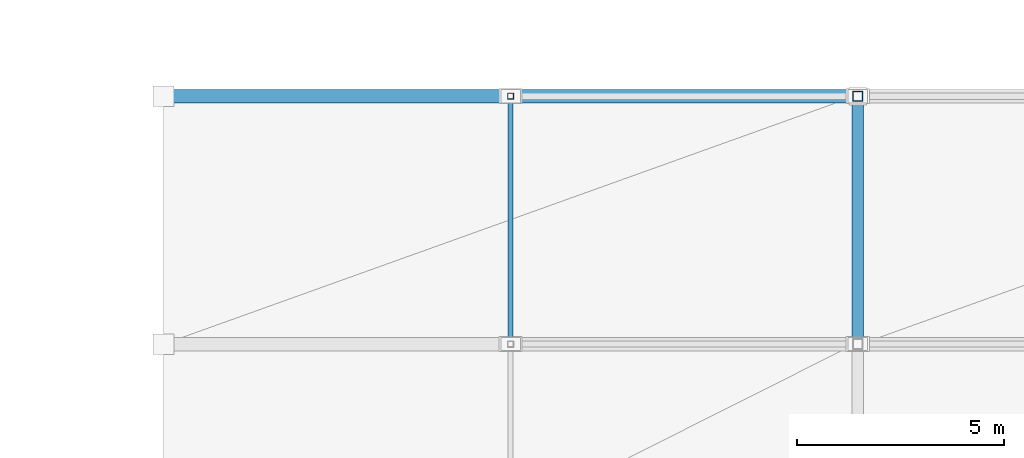
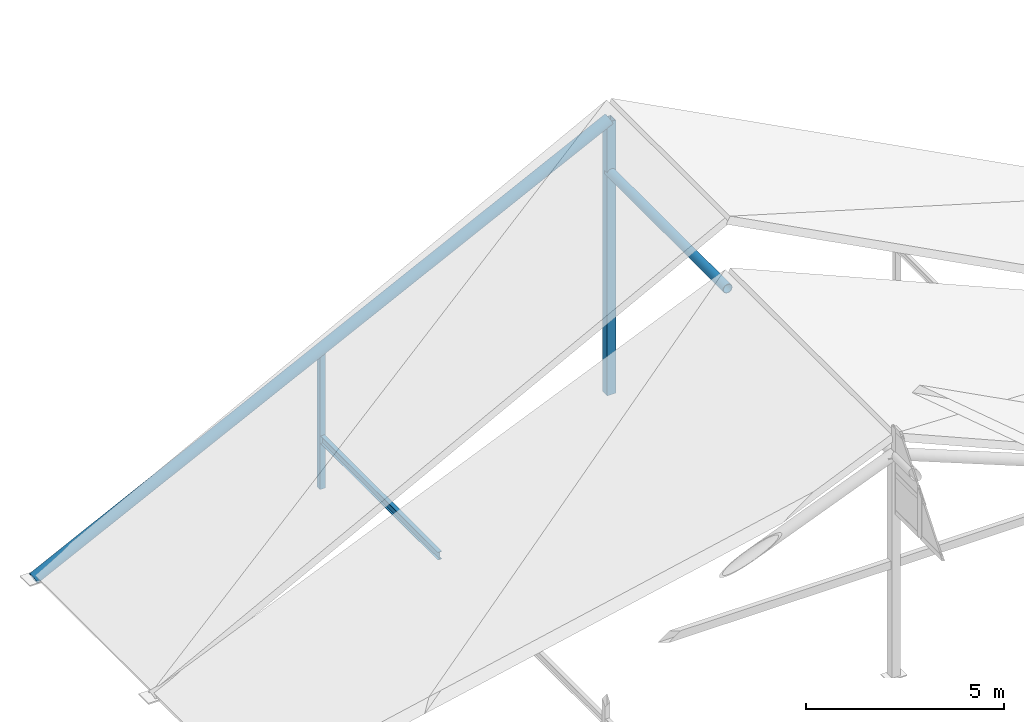
# One storey, part 37 of 76: 5 members.
"""IFC4 building model written with IfcOpenShell, lengths in metres."""

from ifc_helpers import new_model, si_unit, direction, frame, origin, origin_2d, place, context, subcontext, project, spatial, hollow_rectangle, hollow_circle, i_section, extrude, material, material_profile, profile_set, type_object, element, save


model = new_model("IFC4")

# Units and contexts
model_context = context("Model", 3, precision=1e-05, world=origin(), true_north=direction((0.0, 1.0)))
body_context = subcontext(model_context, "Body", "Model", "MODEL_VIEW")
ifc_project = project(units=[si_unit("LENGTHUNIT", "METRE"), si_unit("AREAUNIT", "SQUARE_METRE"), si_unit("VOLUMEUNIT", "CUBIC_METRE"), si_unit("PLANEANGLEUNIT", "RADIAN"), si_unit("MASSUNIT", "GRAM", prefix="KILO")], contexts=[model_context])

# Site, building, storey
site_placement = place(None, origin())
site = spatial("IfcSite", under=ifc_project, at=site_placement, CompositionType="ELEMENT")
building_placement = place(site_placement, origin())
building = spatial("IfcBuilding", under=site, at=building_placement, Name="Krzemoval Escarpment Law Courts", CompositionType="ELEMENT")
storey_placement = place(building_placement, frame((0.0, 0.0, 20.39990234375)))
storey = spatial("IfcBuildingStorey", under=building, at=storey_placement, Name="L04", CompositionType="ELEMENT", Elevation=20.39990234375)

# Members
ifc_material_1 = material(Name="Steel S355", Category="steel")
ifc_material_profile_1 = material_profile(ifc_material_1, hollow_circle(Radius=0.136474609375, WallThickness=0.012451171875, at=origin_2d()), Name="CHS 273x12.5")
ifc_profile_set_1 = profile_set([ifc_material_profile_1], Name="Steel S355")
member_type_1 = type_object("IfcMemberType", Name="MBR-CHD-CHS273", PredefinedType="CHORD", material=ifc_profile_set_1)
member_1_placement = place(storey_placement, frame((25.199951171875, 93.60009765625, 6.550048828125), z_axis=(0.0, 1.0, 0.0), x_axis=(-1.0, 0.0, 0.0)))
element("IfcMember", 1, at=member_1_placement, inside=storey, type_object=member_type_1, Name="Roof Truss Top Chord TC-0076", PredefinedType="CHORD", context=body_context, shape_type="SweptSolid", body=[
    extrude(hollow_circle(Radius=0.136474609375, WallThickness=0.012451171875, at=origin_2d()), origin(), (0.0, 0.0, 1.0), 6.0),
])
ifc_material_2 = material(Name="Steel S355", Category="steel")
ifc_material_profile_2 = material_profile(ifc_material_2, hollow_circle(Radius=0.161865234375, WallThickness=0.01611328125, at=origin_2d()), Name="CHS 323.9x16")
ifc_profile_set_2 = profile_set([ifc_material_profile_2], Name="Steel S355")
member_type_2 = type_object("IfcMemberType", Name="MBR-CHD-CHS324", PredefinedType="CHORD", material=ifc_profile_set_2)
member_2_placement = place(storey_placement, frame((8.39990234375, 99.60009765625, -0.14990234375), z_axis=(0.896551125038, 0.0, 0.442940267071), x_axis=(0.0, 1.0, 0.0)))
element("IfcMember", 2, at=member_2_placement, inside=storey, type_object=member_type_2, Name="Roof Rafter Chord TC-0052", PredefinedType="CHORD", context=body_context, shape_type="SweptSolid", body=[
    extrude(hollow_circle(Radius=0.161865234375, WallThickness=0.01611328125, at=origin_2d()), origin(), (0.0, 0.0, 1.0), 18.738525390625),
])
ifc_material_3 = material(Name="Steel S355", Category="steel")
ifc_material_profile_3 = material_profile(ifc_material_3, i_section(OverallWidth=0.1201171875, OverallDepth=0.239990234375, WebThickness=0.006103515625, FlangeThickness=0.009765625, at=origin_2d()), Name="IPE 240")
ifc_profile_set_3 = profile_set([ifc_material_profile_3], Name="Steel S355")
member_type_3 = type_object("IfcMemberType", Name="MBR-PUR-IPE240", PredefinedType="PURLIN", material=ifc_profile_set_3)
member_3_placement = place(storey_placement, frame((16.800048828125, 93.60009765625, 1.25), z_axis=(0.0, 1.0, 0.0), x_axis=(-1.0, 0.0, 0.0)))
element("IfcMember", 3, at=member_3_placement, inside=storey, type_object=member_type_3, Name="Roof Purlin PR-0077", PredefinedType="PURLIN", context=body_context, shape_type="SweptSolid", body=[
    extrude(i_section(OverallWidth=0.1201171875, OverallDepth=0.239990234375, WebThickness=0.006103515625, FlangeThickness=0.009765625, at=origin_2d()), origin(), (0.0, 0.0, 1.0), 6.0),
])
ifc_material_4 = material(Name="Steel S355", Category="steel")
ifc_material_profile_4 = material_profile(ifc_material_4, hollow_rectangle(XDim=0.14990234375, YDim=0.14990234375, WallThickness=0.008056640625, at=origin_2d()), Name="SHS 150x150x8")
ifc_profile_set_4 = profile_set([ifc_material_profile_4], Name="Steel S355")
member_type_4 = type_object("IfcMemberType", Name="MBR-STR-SHS150", PredefinedType="STRUT", material=ifc_profile_set_4)
member_4_placement = place(storey_placement, frame((16.800048828125, 99.60009765625, -0.27978515625), z_axis=(0.0, 0.0, 1.0), x_axis=(1.0, 0.0, 0.0)))
element("IfcMember", 4, at=member_4_placement, inside=storey, type_object=member_type_4, Name="Roof Truss Web Strut ST-0050", PredefinedType="STRUT", context=body_context, shape_type="SweptSolid", body=[
    extrude(hollow_rectangle(XDim=0.14990234375, YDim=0.14990234375, WallThickness=0.008056640625, at=origin_2d()), origin(), (0.0, 0.0, 1.0), 4.27978515625),
])
ifc_material_5 = material(Name="Steel S355", Category="steel")
ifc_material_profile_5 = material_profile(ifc_material_5, hollow_rectangle(XDim=0.25, YDim=0.25, WallThickness=0.012451171875, at=origin_2d()), Name="SHS 250x250x12.5")
ifc_profile_set_5 = profile_set([ifc_material_profile_5], Name="Steel S355")
member_type_5 = type_object("IfcMemberType", Name="MBR-STR-SHS250", PredefinedType="STRUT", material=ifc_profile_set_5)
member_5_placement = place(storey_placement, frame((25.199951171875, 99.60009765625, -0.27978515625), z_axis=(0.0, 0.0, 1.0), x_axis=(1.0, 0.0, 0.0)))
element("IfcMember", 5, at=member_5_placement, inside=storey, type_object=member_type_5, Name="Roof Truss King Strut ST-0049", PredefinedType="STRUT", context=body_context, shape_type="SweptSolid", body=[
    extrude(hollow_rectangle(XDim=0.25, YDim=0.25, WallThickness=0.012451171875, at=origin_2d()), origin(), (0.0, 0.0, 1.0), 8.429931640625),
])

save(model, "model.ifc")
